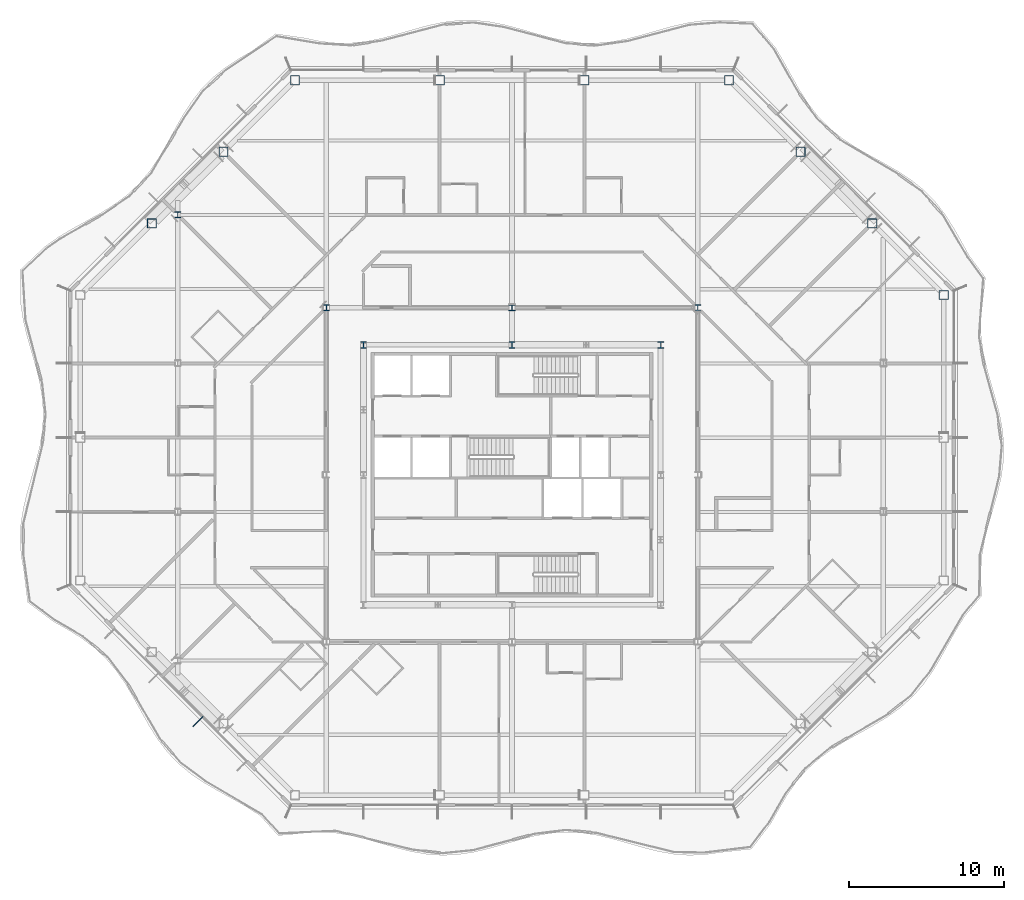
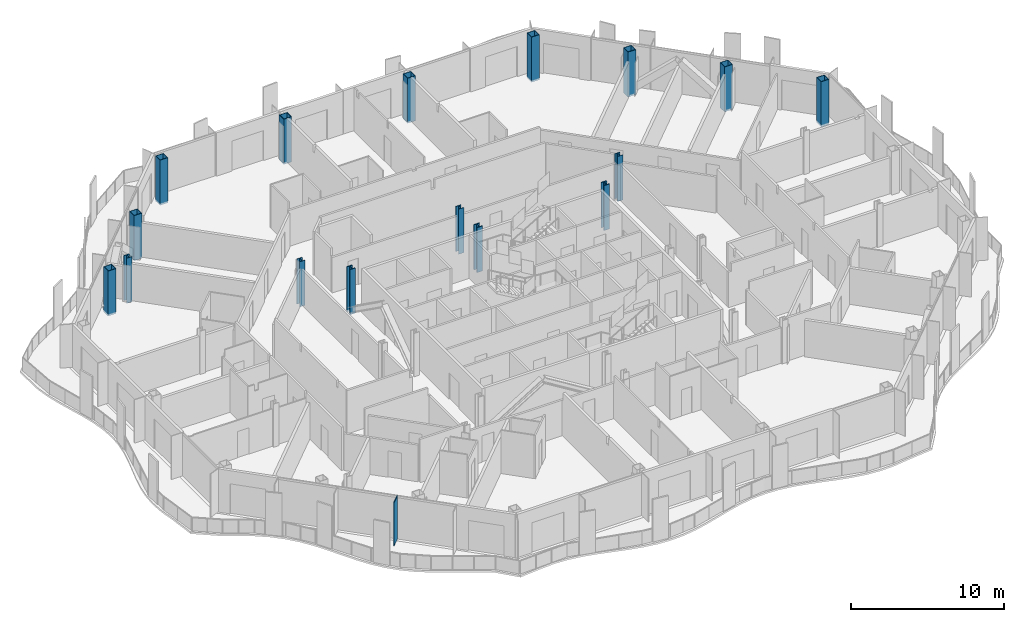
# One storey, part 2 of 21: 16 columns, 1 member, 1 element without a shape of its own.
"""IFC4 building model written with IfcOpenShell, lengths in metres."""

import ifcopenshell
import ifcopenshell.guid

model = None  # the IFC model being written
_history = None  # IfcOwnerHistory: only IFC2X3 demands one
_inside = {}  # id of a spatial element -> (the spatial element, [elements in it])
_under = {}  # id of a project, library or spatial element -> (it, [spatial elements below it])
_declared = {}  # id of a project -> (the project, [libraries it declares])
_typed = {}  # id of a type object -> (the type object, [elements of that type])
_made_of = {}  # id of a material, layer set ... -> (it, [elements and type objects made of it])


def new_model(schema):
    """Start an empty IFC model of exactly this schema.

    Asked for "IFC4X3", IfcOpenShell would pick the latest addendum, in which some entities
    have other attributes; the version numbers below select the first issue.
    IFC2X3 requires an IfcOwnerHistory on every rooted entity: one is made here for all.
    """
    global model, _history
    if schema == "IFC4X3":
        model = ifcopenshell.file(schema_version=(4, 3, 0, 0))
    else:
        model = ifcopenshell.file(schema=schema)
    _inside.clear()
    _under.clear()
    _declared.clear()
    _typed.clear()
    _made_of.clear()
    _history = None
    if model.schema == "IFC2X3":
        org = make("IfcOrganization", Name="unknown")
        user = make(
            "IfcPersonAndOrganization",
            ThePerson=make("IfcPerson", FamilyName="unknown"),
            TheOrganization=org,
        )
        app = make(
            "IfcApplication",
            ApplicationDeveloper=org,
            Version="unknown",
            ApplicationFullName="unknown",
            ApplicationIdentifier="unknown",
        )
        _history = make(
            "IfcOwnerHistory",
            OwningUser=user,
            OwningApplication=app,
            ChangeAction="ADDED",
            CreationDate=0,
        )
    return model


def make(cls, **values):
    """One entity of the class cls with the attributes given. An attribute that is None is left unset."""
    return model.create_entity(
        cls, **{name: value for name, value in values.items() if value is not None}
    )


def rooted(cls, **values):
    """An entity with a GlobalId (a new one), such as an element, a storey or a relation."""
    return make(cls, GlobalId=ifcopenshell.guid.new(), OwnerHistory=_history, **values)


def si_unit(unit_type, name, prefix=None):
    """IfcSIUnit, for example si_unit("LENGTHUNIT", "METRE", prefix="MILLI")."""
    return make("IfcSIUnit", UnitType=unit_type, Prefix=prefix, Name=name)


def assignment(units):
    """IfcUnitAssignment: the units of a project."""
    return None if units is None else make("IfcUnitAssignment", Units=units)


def point(xyz):
    """IfcCartesianPoint."""
    return None if xyz is None else make("IfcCartesianPoint", Coordinates=xyz)


def direction(xyz):
    """IfcDirection."""
    return None if xyz is None else make("IfcDirection", DirectionRatios=xyz)


def frame(location, z_axis=None, x_axis=None):
    """IfcAxis2Placement3D, a coordinate frame: its origin and axes. An axis left out is left unset."""
    return make(
        "IfcAxis2Placement3D",
        Location=point(location),
        Axis=direction(z_axis),
        RefDirection=direction(x_axis),
    )


def frame_2d(location, x_axis=None):
    """IfcAxis2Placement2D, a coordinate frame in the plane: its origin and x axis."""
    return make(
        "IfcAxis2Placement2D", Location=point(location), RefDirection=direction(x_axis)
    )


def origin():
    """The frame at (0, 0, 0) with its axes left unset."""
    return frame((0.0, 0.0, 0.0))


def origin_2d():
    """The frame at (0, 0) in the plane with its x axis left unset."""
    return frame_2d((0.0, 0.0))


def place(relative_to, where):
    """IfcLocalPlacement: puts the frame where relative to a parent placement (None: the world)."""
    return make(
        "IfcLocalPlacement", PlacementRelTo=relative_to, RelativePlacement=where
    )


def context(
    kind, dimensions, precision=None, world=None, true_north=None, identifier=None
):
    """IfcGeometricRepresentationContext, for example the 3D "Model" context."""
    return make(
        "IfcGeometricRepresentationContext",
        ContextIdentifier=identifier,
        ContextType=kind,
        CoordinateSpaceDimension=dimensions,
        Precision=precision,
        WorldCoordinateSystem=world,
        TrueNorth=true_north,
    )


def subcontext(parent, identifier, kind, view, scale=None):
    """IfcGeometricRepresentationSubContext, for example "Body" below "Model"."""
    return make(
        "IfcGeometricRepresentationSubContext",
        ContextIdentifier=identifier,
        ContextType=kind,
        ParentContext=parent,
        TargetScale=scale,
        TargetView=view,
    )


def project(units=None, contexts=None):
    """IfcProject with its units and contexts."""
    return rooted(
        "IfcProject",
        Name="project",
        RepresentationContexts=contexts,
        UnitsInContext=assignment(units),
    )


def spatial(cls, under=None, at=None, **own):
    """A site, building, storey or space (cls), placed at a placement, below another one or the project."""
    s = rooted(cls, ObjectPlacement=at, **own)
    if under is not None:
        _under.setdefault(under.id(), (under, []))[1].append(s)
    return s


def profile(cls, at=None, kind="AREA", **sizes):
    """A parametric profile (cls). Its sizes go by their IFC names, for example OverallWidth=200.0."""
    return make(cls, ProfileType=kind, Position=at, **sizes)


def rectangle(**sizes):
    """IfcRectangleProfileDef."""
    return profile("IfcRectangleProfileDef", **sizes)


def hollow_rectangle(**sizes):
    """IfcRectangleHollowProfileDef."""
    return profile("IfcRectangleHollowProfileDef", **sizes)


def i_section(**sizes):
    """IfcIShapeProfileDef."""
    return profile("IfcIShapeProfileDef", **sizes)


def extrude(swept, where, along, depth):
    """IfcExtrudedAreaSolid: the profile swept, set in the frame where, extruded along a direction by depth."""
    return make(
        "IfcExtrudedAreaSolid",
        SweptArea=swept,
        Position=where,
        ExtrudedDirection=direction(along),
        Depth=depth,
    )


def shape(context_of_items, identifier, shape_type, items):
    """IfcShapeRepresentation: the items that make up one representation, for example the "Body"."""
    return make(
        "IfcShapeRepresentation",
        ContextOfItems=context_of_items,
        RepresentationIdentifier=identifier,
        RepresentationType=shape_type,
        Items=items,
    )


def material(Name=None, Category=None):
    """IfcMaterial."""
    return make("IfcMaterial", Name=Name, Category=Category)


def material_profile(
    of_material, cross_section, Name=None, Category=None, Priority=None
):
    """IfcMaterialProfile: a cross section and its material."""
    return make(
        "IfcMaterialProfile",
        Name=Name,
        Material=of_material,
        Profile=cross_section,
        Priority=Priority,
        Category=Category,
    )


def profile_set(profiles, Name=None, composite=None):
    """IfcMaterialProfileSet."""
    return make(
        "IfcMaterialProfileSet",
        Name=Name,
        MaterialProfiles=profiles,
        CompositeProfile=composite,
    )


def made_of(thing, what):
    """Note that an element or type object is made of a material, layer set ...; save() writes the relation."""
    if what is not None:
        _made_of.setdefault(what.id(), (what, []))[1].append(thing)
    return thing


def type_object(cls, material=None, **own):
    """A type object (cls), such as IfcWallType, which elements share."""
    return made_of(rooted(cls, **own), material)


def element(
    cls,
    number,
    at=None,
    inside=None,
    cuts=None,
    type_object=None,
    material=None,
    context=None,
    identifier="Body",
    shape_type=None,
    held_by="IfcProductDefinitionShape",
    body=None,
    shapes=None,
    **own,
):
    """One element of the class cls, such as IfcWall. Its Tag is "e" and its number.

    at: its placement. inside: the storey or other place that contains it. cuts: it is an
    opening in that element (IfcRelVoidsElement). A single representation is given by context,
    identifier, shape_type and body (its items); several are given by shapes. held_by: the class
    of the entity that holds the representations. save() writes the other relations.
    """
    e = rooted(cls, Tag="e%d" % number, ObjectPlacement=at, **own)
    if body is not None:
        shapes = [shape(context, identifier, shape_type, body)]
    if shapes is not None:
        e.Representation = make(held_by, Representations=shapes)
    if inside is not None:
        _inside.setdefault(inside.id(), (inside, []))[1].append(e)
    if cuts is not None:
        rooted(
            "IfcRelVoidsElement", RelatingBuildingElement=cuts, RelatedOpeningElement=e
        )
    if type_object is not None:
        _typed.setdefault(type_object.id(), (type_object, []))[1].append(e)
    return made_of(e, material)


def aggregate(whole, parts):
    """IfcRelAggregates: a whole, such as a stair, and the parts it consists of."""
    return rooted("IfcRelAggregates", RelatingObject=whole, RelatedObjects=parts)


def save(model, path):
    """Write the relations noted so far, then the file.

    IfcRelAggregates (storeys below a building ...), IfcRelContainedInSpatialStructure (elements
    in a storey), IfcRelDefinesByType, IfcRelAssociatesMaterial and IfcRelDeclares: one each for
    every whole, place, type object, material and project.
    """
    for whole, parts in _under.values():
        aggregate(whole, parts)
    for where, things in _inside.values():
        rooted(
            "IfcRelContainedInSpatialStructure",
            RelatedElements=things,
            RelatingStructure=where,
        )
    for kind, things in _typed.values():
        rooted("IfcRelDefinesByType", RelatedObjects=things, RelatingType=kind)
    for what, things in _made_of.values():
        rooted("IfcRelAssociatesMaterial", RelatedObjects=things, RelatingMaterial=what)
    for by, libraries in _declared.values():
        rooted("IfcRelDeclares", RelatingContext=by, RelatedDefinitions=libraries)
    model.write(path)


model = new_model("IFC4")

# Units and contexts
model_context = context("Model", 3, precision=1e-05, world=origin(), true_north=direction((0.0, 1.0)))
body_context = subcontext(model_context, "Body", "Model", "MODEL_VIEW")
ifc_project = project(units=[si_unit("LENGTHUNIT", "METRE"), si_unit("AREAUNIT", "SQUARE_METRE"), si_unit("VOLUMEUNIT", "CUBIC_METRE"), si_unit("PLANEANGLEUNIT", "RADIAN"), si_unit("MASSUNIT", "GRAM", prefix="KILO")], contexts=[model_context])

# Site, building, storey
site_placement = place(None, origin())
site = spatial("IfcSite", under=ifc_project, at=site_placement, CompositionType="ELEMENT")
building_placement = place(site_placement, origin())
building = spatial("IfcBuilding", under=site, at=building_placement, Name="Cairn Pilgrim Tower", CompositionType="ELEMENT")
storey_placement = place(building_placement, frame((0.0, 0.0, 150.60009765625)))
storey = spatial("IfcBuildingStorey", under=building, at=storey_placement, Name="L37", CompositionType="ELEMENT", Elevation=150.60009765625)

# Columns
ifc_material_1 = material(Name="Structural steel S460M", Category="steel")
ifc_material_profile_1 = material_profile(ifc_material_1, hollow_rectangle(XDim=0.60009765625, YDim=0.60009765625, WallThickness=0.034912109375, at=origin_2d()), Name="BOX 600x600x35")
ifc_profile_set_1 = profile_set([ifc_material_profile_1], Name="Structural steel S460M")
column_type_1 = type_object("IfcColumnType", Name="BOX 600x600x35", PredefinedType="COLUMN", material=ifc_profile_set_1)
for number, where, z_axis, x_axis, name in (
    (1, (35.10009765625, 14.027099609375, -0.150146484375), (0.0, 0.0, 1.0), (1.0, 0.0, 0.0), "PC2-NE1"),
    (2, (30.4755859375, 18.651611328125, -0.150146484375), (0.0, 0.0, 1.0), (1.0, 0.0, 0.0), "PC2-NE2"),
    (3, (25.8515625, 23.275634765625, -0.150146484375), (0.0, 0.0, 1.0), (1.0, 0.0, 0.0), "PC2-NE3"),
    (4, (21.227294921875, 27.89990234375, -0.150146484375), (0.0, 0.0, 1.0), (1.0, 0.0, 0.0), "PC2-N1"),
    (5, (11.875732421875, 27.89990234375, -0.150146484375), (0.0, 0.0, 1.0), (1.0, 0.0, 0.0), "PC2-N2"),
    (6, (2.5244140625, 27.89990234375, -0.150146484375), (0.0, 0.0, 1.0), (1.0, 0.0, 0.0), "PC2-N3"),
    (7, (-6.8271484375, 27.89990234375, -0.150146484375), (0.0, 0.0, 1.0), (1.0, 0.0, 0.0), "PC2-NW1"),
    (8, (-11.451416015625, 23.275634765625, -0.150146484375), (0.0, 0.0, 1.0), (1.0, 0.0, 0.0), "PC2-NW2"),
    (9, (-16.07568359375, 18.651611328125, -0.150146484375), (0.0, 0.0, 1.0), (1.0, 0.0, 0.0), "PC2-NW3"),
):
    element("IfcColumn", number, at=place(storey_placement, frame(where, z_axis=z_axis, x_axis=x_axis)), inside=storey, type_object=column_type_1, Name=name, PredefinedType="COLUMN", context=body_context, shape_type="SweptSolid", body=[
        extrude(hollow_rectangle(XDim=0.60009765625, YDim=0.60009765625, WallThickness=0.034912109375, at=origin_2d()), origin(), (0.0, 0.0, 1.0), 3.60009765625),
    ])
ifc_material_2 = material(Name="Structural steel S355J2", Category="steel")
ifc_material_profile_2 = material_profile(ifc_material_2, i_section(OverallWidth=0.39892578125, OverallDepth=0.39306640625, WebThickness=0.022705078125, FlangeThickness=0.03662109375, FilletRadius=0.014892578125, at=origin_2d()), Name="HD 400x287")
ifc_profile_set_2 = profile_set([ifc_material_profile_2], Name="Structural steel S355J2")
column_type_2 = type_object("IfcColumnType", Name="HD 400x287", PredefinedType="COLUMN", material=ifc_profile_set_2)
for number, where, z_axis, x_axis, name in (
    (10, (-4.800048828125, 13.199951171875, -0.150146484375), (0.0, 0.0, 1.0), (1.0, 0.0, 0.0), "IC-6"),
    (11, (7.199951171875, 13.199951171875, -0.150146484375), (0.0, 0.0, 1.0), (1.0, 0.0, 0.0), "IC-7"),
    (12, (19.199951171875, 13.199951171875, -0.150146484375), (0.0, 0.0, 1.0), (1.0, 0.0, 0.0), "IC-8"),
    (13, (-14.39990234375, 19.199951171875, -0.150146484375), (0.0, 0.0, 1.0), (1.0, 0.0, 0.0), "WC-WW+4"),
):
    element("IfcColumn", number, at=place(storey_placement, frame(where, z_axis=z_axis, x_axis=x_axis)), inside=storey, type_object=column_type_2, Name=name, PredefinedType="COLUMN", context=body_context, shape_type="SweptSolid", body=[
        extrude(i_section(OverallWidth=0.39892578125, OverallDepth=0.39306640625, WebThickness=0.022705078125, FlangeThickness=0.03662109375, FilletRadius=0.014892578125, at=origin_2d()), origin(), (0.0, 0.0, 1.0), 3.60009765625),
    ])
ifc_material_profile_3 = material_profile(ifc_material_1, i_section(OverallWidth=0.416015625, OverallDepth=0.446044921875, WebThickness=0.0390625, FlangeThickness=0.062744140625, FilletRadius=0.014892578125, at=origin_2d()), Name="HD 400x509")
ifc_profile_set_3 = profile_set([ifc_material_profile_3], Name="Structural steel S460M")
column_type_3 = type_object("IfcColumnType", Name="HD 400x509", PredefinedType="COLUMN", material=ifc_profile_set_3)
for number, where, z_axis, x_axis, name in (
    (14, (-2.39990234375, 10.800048828125, -0.150146484375), (0.0, 0.0, 1.0), (1.0, 0.0, 0.0), "KC-6"),
    (15, (7.199951171875, 10.800048828125, -0.150146484375), (0.0, 0.0, 1.0), (1.0, 0.0, 0.0), "KC-7"),
    (16, (16.800048828125, 10.800048828125, -0.150146484375), (0.0, 0.0, 1.0), (1.0, 0.0, 0.0), "KC-8"),
):
    element("IfcColumn", number, at=place(storey_placement, frame(where, z_axis=z_axis, x_axis=x_axis)), inside=storey, type_object=column_type_3, Name=name, PredefinedType="COLUMN", context=body_context, shape_type="SweptSolid", body=[
        extrude(i_section(OverallWidth=0.416015625, OverallDepth=0.446044921875, WebThickness=0.0390625, FlangeThickness=0.062744140625, FilletRadius=0.014892578125, at=origin_2d()), origin(), (0.0, 0.0, 1.0), 3.60009765625),
    ])

# Curtain wall, member
ifc_material_3 = material(Name="Aluminium alloy 6063-T6 bronze anodised with Bronze tinted laminated low-E glass 8+16+8.8", Category="aluminium")
curtain_wall_type = type_object("IfcCurtainWallType", Name="CHAMFER CORNER CURTAIN WALL", PredefinedType="NOTDEFINED", material=ifc_material_3)
curtain_wall_placement = place(storey_placement, origin())
curtain_wall = element("IfcCurtainWall", 17, at=curtain_wall_placement, inside=storey, type_object=curtain_wall_type, Name="Chamfer Corner Curtain Wall SW", PredefinedType="NOTDEFINED")
ifc_material_4 = material(Name="Aluminium alloy 6063-T6 bronze anodised", Category="aluminium")
ifc_material_profile_4 = material_profile(ifc_material_4, rectangle(XDim=0.89990234375, YDim=0.06005859375, at=origin_2d()), Name="FIN MULLION 60x900 BRONZE")
ifc_profile_set_4 = profile_set([ifc_material_profile_4], Name="Aluminium alloy 6063-T6 bronze anodised")
member_type = type_object("IfcMemberType", Name="FIN MULLION 60x900 BRONZE", PredefinedType="MULLION", material=ifc_profile_set_4)
member_placement = place(storey_placement, frame((-13.094970703125, -13.545654296875, 0.0), z_axis=(0.0, 0.0, 1.0), x_axis=(-0.707106781187, -0.707106781187, 0.0)))
member = element("IfcMember", 18, at=member_placement, type_object=member_type, Name="Fin mullion SW4", PredefinedType="MULLION", context=body_context, shape_type="SweptSolid", body=[
    extrude(rectangle(XDim=0.89990234375, YDim=0.06005859375, at=origin_2d()), origin(), (0.0, 0.0, 1.0), 3.449951171875),
])
aggregate(curtain_wall, [member])

save(model, "model.ifc")
